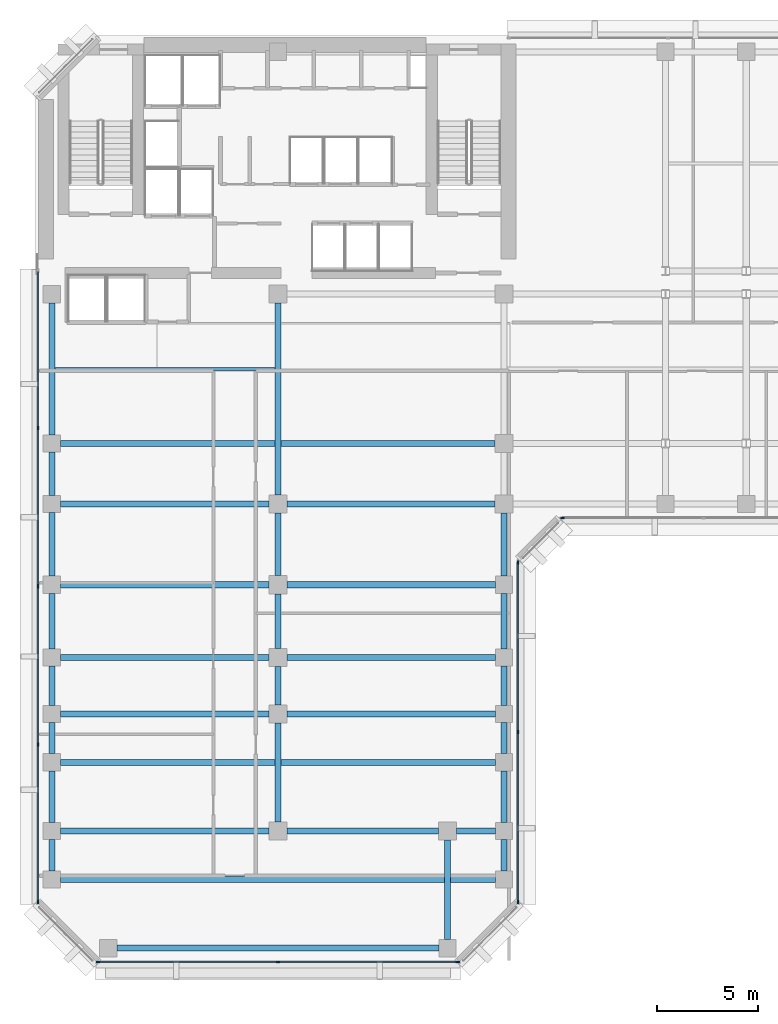
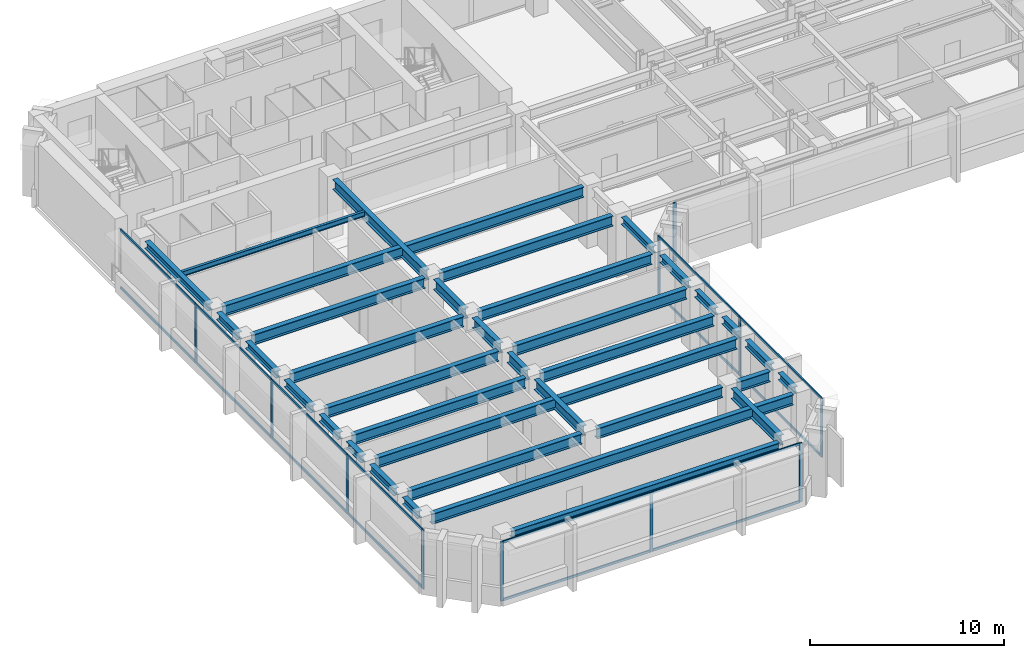
# One storey, part 2 of 11: 36 beams, 27 members, 4 elements without a shape of their own.
"""IFC4 building model written with IfcOpenShell, lengths in metres."""

from ifc_helpers import new_model, si_unit, direction, frame, origin, origin_2d, place, context, subcontext, project, spatial, rectangle, i_section, extrude, material, layer, layer_set, material_profile, profile_set, type_object, element, aggregate, save


model = new_model("IFC4")

# Units and contexts
model_context = context("Model", 3, precision=1e-05, world=origin(), true_north=direction((0.0, 1.0)))
body_context = subcontext(model_context, "Body", "Model", "MODEL_VIEW")
ifc_project = project(units=[si_unit("LENGTHUNIT", "METRE"), si_unit("AREAUNIT", "SQUARE_METRE"), si_unit("VOLUMEUNIT", "CUBIC_METRE"), si_unit("PLANEANGLEUNIT", "RADIAN"), si_unit("MASSUNIT", "GRAM", prefix="KILO")], contexts=[model_context])

# Site, building, storey
site_placement = place(None, origin())
site = spatial("IfcSite", under=ifc_project, at=site_placement, CompositionType="ELEMENT")
building_placement = place(site_placement, origin())
building = spatial("IfcBuilding", under=site, at=building_placement, Name="Kefirva Bronze Tower", CompositionType="ELEMENT")
storey_placement = place(building_placement, frame((0.0, 0.0, 158.72998046875)))
storey = spatial("IfcBuildingStorey", under=building, at=storey_placement, Name="L38", CompositionType="ELEMENT", Elevation=158.72998046875)

# Curtain wall, members
ifc_material_1 = material(Name="Bronze anodised aluminium", Category="aluminium")
ifc_layer = layer(ifc_material_1, 0.199951171875, Name="Bronze anodised aluminium")
ifc_layer_set = layer_set([ifc_layer], Name="Bronze anodised aluminium")
curtain_wall_type = type_object("IfcCurtainWallType", Name="Unitised Bronze Ribbon Curtain Wall Zone 2", PredefinedType="USERDEFINED", material=ifc_layer_set)
curtain_wall_1_placement = place(storey_placement, origin())
curtain_wall_1 = element("IfcCurtainWall", 1, at=curtain_wall_1_placement, inside=storey, type_object=curtain_wall_type, Name="L38 Curtain Wall 1", ObjectType="UNITISED CURTAIN WALL", PredefinedType="USERDEFINED")
ifc_material_profile_1 = material_profile(ifc_material_1, rectangle(XDim=0.074951171875, YDim=0.179931640625, at=origin_2d()), Name="ALU 75x180")
ifc_profile_set_1 = profile_set([ifc_material_profile_1], Name="Bronze anodised aluminium")
member_type_1 = type_object("IfcMemberType", Name="Bronze Mullion 75x180", PredefinedType="MULLION", material=ifc_profile_set_1)
member_1_placement = place(storey_placement, frame((3.092529296875, 0.1201171875, 0.0), z_axis=(0.0, 0.0, 1.0), x_axis=(0.0, 1.0, 0.0)))
member_1 = element("IfcMember", 2, at=member_1_placement, type_object=member_type_1, Name="CW-02 mullion 1", PredefinedType="MULLION", context=body_context, shape_type="SweptSolid", body=[
    extrude(rectangle(XDim=0.074951171875, YDim=0.179931640625, at=origin_2d()), origin(), (0.0, 0.0, 1.0), 3.7099609375),
])
member_2_placement = place(storey_placement, frame((12.0, 0.1201171875, 0.0), z_axis=(0.0, 0.0, 1.0), x_axis=(0.0, 1.0, 0.0)))
member_2 = element("IfcMember", 3, at=member_2_placement, type_object=member_type_1, Name="CW-02 mullion 2", PredefinedType="MULLION", context=body_context, shape_type="SweptSolid", body=[
    extrude(rectangle(XDim=0.074951171875, YDim=0.179931640625, at=origin_2d()), origin(), (0.0, 0.0, 1.0), 3.7099609375),
])
member_3_placement = place(storey_placement, frame((20.907470703125, 0.1201171875, 0.0), z_axis=(0.0, 0.0, 1.0), x_axis=(0.0, 1.0, 0.0)))
member_3 = element("IfcMember", 4, at=member_3_placement, type_object=member_type_1, Name="CW-02 mullion 3", PredefinedType="MULLION", context=body_context, shape_type="SweptSolid", body=[
    extrude(rectangle(XDim=0.074951171875, YDim=0.179931640625, at=origin_2d()), origin(), (0.0, 0.0, 1.0), 3.7099609375),
])

curtain_wall_2_placement = place(storey_placement, origin())
curtain_wall_2 = element("IfcCurtainWall", 5, at=curtain_wall_2_placement, inside=storey, type_object=curtain_wall_type, Name="L38 Curtain Wall 2", ObjectType="UNITISED CURTAIN WALL", PredefinedType="USERDEFINED")
member_4_placement = place(storey_placement, frame((23.8798828125, 3.092529296875, 0.0), z_axis=(0.0, 0.0, 1.0), x_axis=(-1.0, 0.0, 0.0)))
member_4 = element("IfcMember", 6, at=member_4_placement, type_object=member_type_1, Name="CW-02 mullion 1", PredefinedType="MULLION", context=body_context, shape_type="SweptSolid", body=[
    extrude(rectangle(XDim=0.074951171875, YDim=0.179931640625, at=origin_2d()), origin(), (0.0, 0.0, 1.0), 3.7099609375),
])
member_5_placement = place(storey_placement, frame((23.8798828125, 11.5, 0.0), z_axis=(0.0, 0.0, 1.0), x_axis=(-1.0, 0.0, 0.0)))
member_5 = element("IfcMember", 7, at=member_5_placement, type_object=member_type_1, Name="CW-02 mullion 2", PredefinedType="MULLION", context=body_context, shape_type="SweptSolid", body=[
    extrude(rectangle(XDim=0.074951171875, YDim=0.179931640625, at=origin_2d()), origin(), (0.0, 0.0, 1.0), 3.7099609375),
])
member_6_placement = place(storey_placement, frame((23.8798828125, 19.907470703125, 0.0), z_axis=(0.0, 0.0, 1.0), x_axis=(-1.0, 0.0, 0.0)))
member_6 = element("IfcMember", 8, at=member_6_placement, type_object=member_type_1, Name="CW-02 mullion 3", PredefinedType="MULLION", context=body_context, shape_type="SweptSolid", body=[
    extrude(rectangle(XDim=0.074951171875, YDim=0.179931640625, at=origin_2d()), origin(), (0.0, 0.0, 1.0), 3.7099609375),
])

# Curtain wall, member
curtain_wall_3_placement = place(storey_placement, origin())
curtain_wall_3 = element("IfcCurtainWall", 9, at=curtain_wall_3_placement, inside=storey, type_object=curtain_wall_type, Name="L38 Curtain Wall 3", ObjectType="UNITISED CURTAIN WALL", PredefinedType="USERDEFINED")
member_7_placement = place(storey_placement, frame((26.092529296875, 22.1201171875, 0.0), z_axis=(0.0, 0.0, 1.0), x_axis=(0.0, 1.0, 0.0)))
member_7 = element("IfcMember", 10, at=member_7_placement, type_object=member_type_1, Name="CW-02 mullion 1", PredefinedType="MULLION", context=body_context, shape_type="SweptSolid", body=[
    extrude(rectangle(XDim=0.074951171875, YDim=0.179931640625, at=origin_2d()), origin(), (0.0, 0.0, 1.0), 3.7099609375),
])
aggregate(curtain_wall_3, [member_7])

# Curtain wall, members
curtain_wall_4_placement = place(storey_placement, origin())
curtain_wall_4 = element("IfcCurtainWall", 11, at=curtain_wall_4_placement, inside=storey, type_object=curtain_wall_type, Name="L38 Curtain Wall 6", ObjectType="UNITISED CURTAIN WALL", PredefinedType="USERDEFINED")
member_8_placement = place(storey_placement, frame((0.1201171875, 26.56005859375, 0.0), z_axis=(0.0, 0.0, 1.0), x_axis=(1.0, 0.0, 0.0)))
member_8 = element("IfcMember", 12, at=member_8_placement, type_object=member_type_1, Name="CW-02 mullion 2", PredefinedType="MULLION", context=body_context, shape_type="SweptSolid", body=[
    extrude(rectangle(XDim=0.074951171875, YDim=0.179931640625, at=origin_2d()), origin(), (0.0, 0.0, 1.0), 3.7099609375),
])
member_9_placement = place(storey_placement, frame((0.1201171875, 18.72509765625, 0.0), z_axis=(0.0, 0.0, 1.0), x_axis=(1.0, 0.0, 0.0)))
member_9 = element("IfcMember", 13, at=member_9_placement, type_object=member_type_1, Name="CW-02 mullion 3", PredefinedType="MULLION", context=body_context, shape_type="SweptSolid", body=[
    extrude(rectangle(XDim=0.074951171875, YDim=0.179931640625, at=origin_2d()), origin(), (0.0, 0.0, 1.0), 3.7099609375),
])
member_10_placement = place(storey_placement, frame((0.1201171875, 10.889892578125, 0.0), z_axis=(0.0, 0.0, 1.0), x_axis=(1.0, 0.0, 0.0)))
member_10 = element("IfcMember", 14, at=member_10_placement, type_object=member_type_1, Name="CW-02 mullion 4", PredefinedType="MULLION", context=body_context, shape_type="SweptSolid", body=[
    extrude(rectangle(XDim=0.074951171875, YDim=0.179931640625, at=origin_2d()), origin(), (0.0, 0.0, 1.0), 3.7099609375),
])
member_11_placement = place(storey_placement, frame((0.1201171875, 3.092529296875, 0.0), z_axis=(0.0, 0.0, 1.0), x_axis=(1.0, 0.0, 0.0)))
member_11 = element("IfcMember", 15, at=member_11_placement, type_object=member_type_1, Name="CW-02 mullion 5", PredefinedType="MULLION", context=body_context, shape_type="SweptSolid", body=[
    extrude(rectangle(XDim=0.074951171875, YDim=0.179931640625, at=origin_2d()), origin(), (0.0, 0.0, 1.0), 3.7099609375),
])

# Member
ifc_material_profile_2 = material_profile(ifc_material_1, rectangle(XDim=0.074951171875, YDim=0.14990234375, at=origin_2d()), Name="ALU 75x150")
ifc_profile_set_2 = profile_set([ifc_material_profile_2], Name="Bronze anodised aluminium")
member_type_2 = type_object("IfcMemberType", Name="Bronze Transom 75x150", PredefinedType="USERDEFINED", material=ifc_profile_set_2)
member_12_placement = place(storey_placement, frame((3.1298828125, 0.1201171875, 0.03759765625), z_axis=(1.0, 0.0, 0.0), x_axis=(0.0, 1.0, 0.0)))
member_12 = element("IfcMember", 16, at=member_12_placement, type_object=member_type_2, Name="CW-02 transom 1.1", ObjectType="TRANSOM", PredefinedType="USERDEFINED", context=body_context, shape_type="SweptSolid", body=[
    extrude(rectangle(XDim=0.074951171875, YDim=0.14990234375, at=origin_2d()), origin(), (0.0, 0.0, 1.0), 8.83251953125),
])

member_13_placement = place(storey_placement, frame((3.1298828125, 0.1201171875, 3.672607421875), z_axis=(1.0, 0.0, 0.0), x_axis=(0.0, 1.0, 0.0)))
member_13 = element("IfcMember", 17, at=member_13_placement, type_object=member_type_2, Name="CW-02 transom 1.2", ObjectType="TRANSOM", PredefinedType="USERDEFINED", context=body_context, shape_type="SweptSolid", body=[
    extrude(rectangle(XDim=0.074951171875, YDim=0.14990234375, at=origin_2d()), origin(), (0.0, 0.0, 1.0), 8.83251953125),
])

member_14_placement = place(storey_placement, frame((12.03759765625, 0.1201171875, 0.03759765625), z_axis=(1.0, 0.0, 0.0), x_axis=(0.0, 1.0, 0.0)))
member_14 = element("IfcMember", 18, at=member_14_placement, type_object=member_type_2, Name="CW-02 transom 2.1", ObjectType="TRANSOM", PredefinedType="USERDEFINED", context=body_context, shape_type="SweptSolid", body=[
    extrude(rectangle(XDim=0.074951171875, YDim=0.14990234375, at=origin_2d()), origin(), (0.0, 0.0, 1.0), 8.83251953125),
])

member_15_placement = place(storey_placement, frame((12.03759765625, 0.1201171875, 3.672607421875), z_axis=(1.0, 0.0, 0.0), x_axis=(0.0, 1.0, 0.0)))
member_15 = element("IfcMember", 19, at=member_15_placement, type_object=member_type_2, Name="CW-02 transom 2.2", ObjectType="TRANSOM", PredefinedType="USERDEFINED", context=body_context, shape_type="SweptSolid", body=[
    extrude(rectangle(XDim=0.074951171875, YDim=0.14990234375, at=origin_2d()), origin(), (0.0, 0.0, 1.0), 8.83251953125),
])

aggregate(curtain_wall_1, [member_1, member_2, member_3, member_12, member_13, member_14, member_15])

member_16_placement = place(storey_placement, frame((23.8798828125, 3.1298828125, 0.03759765625), z_axis=(0.0, 1.0, 0.0), x_axis=(-1.0, 0.0, 0.0)))
member_16 = element("IfcMember", 20, at=member_16_placement, type_object=member_type_2, Name="CW-02 transom 1.1", ObjectType="TRANSOM", PredefinedType="USERDEFINED", context=body_context, shape_type="SweptSolid", body=[
    extrude(rectangle(XDim=0.074951171875, YDim=0.14990234375, at=origin_2d()), origin(), (0.0, 0.0, 1.0), 8.33251953125),
])

member_17_placement = place(storey_placement, frame((23.8798828125, 3.1298828125, 3.672607421875), z_axis=(0.0, 1.0, 0.0), x_axis=(-1.0, 0.0, 0.0)))
member_17 = element("IfcMember", 21, at=member_17_placement, type_object=member_type_2, Name="CW-02 transom 1.2", ObjectType="TRANSOM", PredefinedType="USERDEFINED", context=body_context, shape_type="SweptSolid", body=[
    extrude(rectangle(XDim=0.074951171875, YDim=0.14990234375, at=origin_2d()), origin(), (0.0, 0.0, 1.0), 8.33251953125),
])

member_18_placement = place(storey_placement, frame((23.8798828125, 11.53759765625, 0.03759765625), z_axis=(0.0, 1.0, 0.0), x_axis=(-1.0, 0.0, 0.0)))
member_18 = element("IfcMember", 22, at=member_18_placement, type_object=member_type_2, Name="CW-02 transom 2.1", ObjectType="TRANSOM", PredefinedType="USERDEFINED", context=body_context, shape_type="SweptSolid", body=[
    extrude(rectangle(XDim=0.074951171875, YDim=0.14990234375, at=origin_2d()), origin(), (0.0, 0.0, 1.0), 8.33251953125),
])

member_19_placement = place(storey_placement, frame((23.8798828125, 11.53759765625, 3.672607421875), z_axis=(0.0, 1.0, 0.0), x_axis=(-1.0, 0.0, 0.0)))
member_19 = element("IfcMember", 23, at=member_19_placement, type_object=member_type_2, Name="CW-02 transom 2.2", ObjectType="TRANSOM", PredefinedType="USERDEFINED", context=body_context, shape_type="SweptSolid", body=[
    extrude(rectangle(XDim=0.074951171875, YDim=0.14990234375, at=origin_2d()), origin(), (0.0, 0.0, 1.0), 8.33251953125),
])

aggregate(curtain_wall_2, [member_4, member_5, member_6, member_16, member_17, member_18, member_19])

member_20_placement = place(storey_placement, frame((0.1201171875, 34.320068359375, 0.03759765625), z_axis=(0.0, -1.0, 0.0), x_axis=(1.0, 0.0, 0.0)))
member_20 = element("IfcMember", 24, at=member_20_placement, type_object=member_type_2, Name="CW-02 transom 1.1", ObjectType="TRANSOM", PredefinedType="USERDEFINED", context=body_context, shape_type="SweptSolid", body=[
    extrude(rectangle(XDim=0.074951171875, YDim=0.14990234375, at=origin_2d()), origin(), (0.0, 0.0, 1.0), 7.72265625),
])

member_21_placement = place(storey_placement, frame((0.1201171875, 34.320068359375, 3.672607421875), z_axis=(0.0, -1.0, 0.0), x_axis=(1.0, 0.0, 0.0)))
member_21 = element("IfcMember", 25, at=member_21_placement, type_object=member_type_2, Name="CW-02 transom 1.2", ObjectType="TRANSOM", PredefinedType="USERDEFINED", context=body_context, shape_type="SweptSolid", body=[
    extrude(rectangle(XDim=0.074951171875, YDim=0.14990234375, at=origin_2d()), origin(), (0.0, 0.0, 1.0), 7.72265625),
])

member_22_placement = place(storey_placement, frame((0.1201171875, 26.5224609375, 0.03759765625), z_axis=(0.0, -1.0, 0.0), x_axis=(1.0, 0.0, 0.0)))
member_22 = element("IfcMember", 26, at=member_22_placement, type_object=member_type_2, Name="CW-02 transom 2.1", ObjectType="TRANSOM", PredefinedType="USERDEFINED", context=body_context, shape_type="SweptSolid", body=[
    extrude(rectangle(XDim=0.074951171875, YDim=0.14990234375, at=origin_2d()), origin(), (0.0, 0.0, 1.0), 7.760009765625),
])

member_23_placement = place(storey_placement, frame((0.1201171875, 26.5224609375, 3.672607421875), z_axis=(0.0, -1.0, 0.0), x_axis=(1.0, 0.0, 0.0)))
member_23 = element("IfcMember", 27, at=member_23_placement, type_object=member_type_2, Name="CW-02 transom 2.2", ObjectType="TRANSOM", PredefinedType="USERDEFINED", context=body_context, shape_type="SweptSolid", body=[
    extrude(rectangle(XDim=0.074951171875, YDim=0.14990234375, at=origin_2d()), origin(), (0.0, 0.0, 1.0), 7.760009765625),
])

member_24_placement = place(storey_placement, frame((0.1201171875, 18.6875, 0.03759765625), z_axis=(0.0, -1.0, 0.0), x_axis=(1.0, 0.0, 0.0)))
member_24 = element("IfcMember", 28, at=member_24_placement, type_object=member_type_2, Name="CW-02 transom 3.1", ObjectType="TRANSOM", PredefinedType="USERDEFINED", context=body_context, shape_type="SweptSolid", body=[
    extrude(rectangle(XDim=0.074951171875, YDim=0.14990234375, at=origin_2d()), origin(), (0.0, 0.0, 1.0), 7.760009765625),
])

member_25_placement = place(storey_placement, frame((0.1201171875, 18.6875, 3.672607421875), z_axis=(0.0, -1.0, 0.0), x_axis=(1.0, 0.0, 0.0)))
member_25 = element("IfcMember", 29, at=member_25_placement, type_object=member_type_2, Name="CW-02 transom 3.2", ObjectType="TRANSOM", PredefinedType="USERDEFINED", context=body_context, shape_type="SweptSolid", body=[
    extrude(rectangle(XDim=0.074951171875, YDim=0.14990234375, at=origin_2d()), origin(), (0.0, 0.0, 1.0), 7.760009765625),
])

member_26_placement = place(storey_placement, frame((0.1201171875, 10.8525390625, 0.03759765625), z_axis=(0.0, -1.0, 0.0), x_axis=(1.0, 0.0, 0.0)))
member_26 = element("IfcMember", 30, at=member_26_placement, type_object=member_type_2, Name="CW-02 transom 4.1", ObjectType="TRANSOM", PredefinedType="USERDEFINED", context=body_context, shape_type="SweptSolid", body=[
    extrude(rectangle(XDim=0.074951171875, YDim=0.14990234375, at=origin_2d()), origin(), (0.0, 0.0, 1.0), 7.72265625),
])

member_27_placement = place(storey_placement, frame((0.1201171875, 10.8525390625, 3.672607421875), z_axis=(0.0, -1.0, 0.0), x_axis=(1.0, 0.0, 0.0)))
member_27 = element("IfcMember", 31, at=member_27_placement, type_object=member_type_2, Name="CW-02 transom 4.2", ObjectType="TRANSOM", PredefinedType="USERDEFINED", context=body_context, shape_type="SweptSolid", body=[
    extrude(rectangle(XDim=0.074951171875, YDim=0.14990234375, at=origin_2d()), origin(), (0.0, 0.0, 1.0), 7.72265625),
])

aggregate(curtain_wall_4, [member_8, member_9, member_10, member_11, member_20, member_21, member_22, member_23, member_24, member_25, member_26, member_27])

# Beams
ifc_material_2 = material(Name="Steel S355", Category="steel")
ifc_material_profile_3 = material_profile(ifc_material_2, i_section(OverallWidth=0.159912109375, OverallDepth=0.330078125, WebThickness=0.007568359375, FlangeThickness=0.011474609375, at=origin_2d()), Name="IPE 330")
ifc_profile_set_3 = profile_set([ifc_material_profile_3], Name="Steel S355")
beam_type_1 = type_object("IfcBeamType", Name="Steel Floor Joist IPE 330", PredefinedType="JOIST", material=ifc_profile_set_3)
beam_1_placement = place(storey_placement, frame((0.949951171875, 29.489990234375, 3.544921875), z_axis=(1.0, 0.0, 0.0), x_axis=(0.0, 1.0, 0.0)))
element("IfcBeam", 32, at=beam_1_placement, inside=storey, type_object=beam_type_1, Name="L38 JST-L38-0-294", PredefinedType="JOIST", context=body_context, shape_type="SweptSolid", body=[
    extrude(i_section(OverallWidth=0.159912109375, OverallDepth=0.330078125, WebThickness=0.007568359375, FlangeThickness=0.011474609375, at=origin_2d()), origin(), (0.0, 0.0, 1.0), 10.900146484375),
])
ifc_material_profile_4 = material_profile(ifc_material_2, i_section(OverallWidth=0.300048828125, OverallDepth=0.64990234375, WebThickness=0.01611328125, FlangeThickness=0.031005859375, at=origin_2d()), Name="HEB 650")
ifc_profile_set_4 = profile_set([ifc_material_profile_4], Name="Steel S355")
beam_type_2 = type_object("IfcBeamType", Name="Steel Girder HEB 650", PredefinedType="USERDEFINED", material=ifc_profile_set_4)
beam_2_placement = place(storey_placement, frame((1.22998046875, 4.199951171875, 3.385009765625), z_axis=(1.0, 0.0, 0.0), x_axis=(0.0, 1.0, 0.0)))
element("IfcBeam", 33, at=beam_2_placement, inside=storey, type_object=beam_type_2, Name="L38 BM-L38-EW-0-42", ObjectType="GIRDER", PredefinedType="USERDEFINED", context=body_context, shape_type="SweptSolid", body=[
    extrude(i_section(OverallWidth=0.300048828125, OverallDepth=0.64990234375, WebThickness=0.01611328125, FlangeThickness=0.031005859375, at=origin_2d()), origin(), (0.0, 0.0, 1.0), 21.5400390625),
])
beam_3_placement = place(storey_placement, frame((1.22998046875, 6.60009765625, 3.385009765625), z_axis=(1.0, 0.0, 0.0), x_axis=(0.0, 1.0, 0.0)))
element("IfcBeam", 34, at=beam_3_placement, inside=storey, type_object=beam_type_2, Name="L38 BM-L38-EW-0-66", ObjectType="GIRDER", PredefinedType="USERDEFINED", context=body_context, shape_type="SweptSolid", body=[
    extrude(i_section(OverallWidth=0.300048828125, OverallDepth=0.64990234375, WebThickness=0.01611328125, FlangeThickness=0.031005859375, at=origin_2d()), origin(), (0.0, 0.0, 1.0), 10.320068359375),
])
beam_4_placement = place(storey_placement, frame((12.449951171875, 6.60009765625, 3.385009765625), z_axis=(1.0, 0.0, 0.0), x_axis=(0.0, 1.0, 0.0)))
element("IfcBeam", 35, at=beam_4_placement, inside=storey, type_object=beam_type_2, Name="L38 BM-L38-EW-12-66", ObjectType="GIRDER", PredefinedType="USERDEFINED", context=body_context, shape_type="SweptSolid", body=[
    extrude(i_section(OverallWidth=0.300048828125, OverallDepth=0.64990234375, WebThickness=0.01611328125, FlangeThickness=0.031005859375, at=origin_2d()), origin(), (0.0, 0.0, 1.0), 7.5),
])
beam_5_placement = place(storey_placement, frame((20.85009765625, 6.60009765625, 3.385009765625), z_axis=(1.0, 0.0, 0.0), x_axis=(0.0, 1.0, 0.0)))
element("IfcBeam", 36, at=beam_5_placement, inside=storey, type_object=beam_type_2, Name="L38 BM-L38-EW-20-66", ObjectType="GIRDER", PredefinedType="USERDEFINED", context=body_context, shape_type="SweptSolid", body=[
    extrude(i_section(OverallWidth=0.300048828125, OverallDepth=0.64990234375, WebThickness=0.01611328125, FlangeThickness=0.031005859375, at=origin_2d()), origin(), (0.0, 0.0, 1.0), 1.919921875),
])
beam_6_placement = place(storey_placement, frame((1.22998046875, 10.0, 3.385009765625), z_axis=(1.0, 0.0, 0.0), x_axis=(0.0, 1.0, 0.0)))
element("IfcBeam", 37, at=beam_6_placement, inside=storey, type_object=beam_type_2, Name="L38 BM-L38-EW-0-100", ObjectType="GIRDER", PredefinedType="USERDEFINED", context=body_context, shape_type="SweptSolid", body=[
    extrude(i_section(OverallWidth=0.300048828125, OverallDepth=0.64990234375, WebThickness=0.01611328125, FlangeThickness=0.031005859375, at=origin_2d()), origin(), (0.0, 0.0, 1.0), 21.5400390625),
])
for number, where, z_axis, x_axis, name in (
    (38, (1.22998046875, 12.39990234375, 3.385009765625), (1.0, 0.0, 0.0), (0.0, 1.0, 0.0), "L38 BM-L38-EW-0-124"),
    (39, (12.449951171875, 12.39990234375, 3.385009765625), (1.0, 0.0, 0.0), (0.0, 1.0, 0.0), "L38 BM-L38-EW-12-124"),
    (40, (1.22998046875, 15.199951171875, 3.385009765625), (1.0, 0.0, 0.0), (0.0, 1.0, 0.0), "L38 BM-L38-EW-0-152"),
    (41, (12.449951171875, 15.199951171875, 3.385009765625), (1.0, 0.0, 0.0), (0.0, 1.0, 0.0), "L38 BM-L38-EW-12-152"),
    (42, (1.22998046875, 18.800048828125, 3.385009765625), (1.0, 0.0, 0.0), (0.0, 1.0, 0.0), "L38 BM-L38-EW-0-188"),
    (43, (12.449951171875, 18.800048828125, 3.385009765625), (1.0, 0.0, 0.0), (0.0, 1.0, 0.0), "L38 BM-L38-EW-12-188"),
    (44, (1.22998046875, 22.800048828125, 3.385009765625), (1.0, 0.0, 0.0), (0.0, 1.0, 0.0), "L38 BM-L38-EW-0-228"),
):
    element("IfcBeam", number, at=place(storey_placement, frame(where, z_axis=z_axis, x_axis=x_axis)), inside=storey, type_object=beam_type_2, Name=name, ObjectType="GIRDER", PredefinedType="USERDEFINED", context=body_context, shape_type="SweptSolid", body=[
        extrude(i_section(OverallWidth=0.300048828125, OverallDepth=0.64990234375, WebThickness=0.01611328125, FlangeThickness=0.031005859375, at=origin_2d()), origin(), (0.0, 0.0, 1.0), 10.320068359375),
    ])
beam_7_placement = place(storey_placement, frame((12.449951171875, 22.800048828125, 3.385009765625), z_axis=(1.0, 0.0, 0.0), x_axis=(0.0, 1.0, 0.0)))
element("IfcBeam", 45, at=beam_7_placement, inside=storey, type_object=beam_type_2, Name="L38 BM-L38-EW-12-228", ObjectType="GIRDER", PredefinedType="USERDEFINED", context=body_context, shape_type="SweptSolid", body=[
    extrude(i_section(OverallWidth=0.300048828125, OverallDepth=0.64990234375, WebThickness=0.01611328125, FlangeThickness=0.031005859375, at=origin_2d()), origin(), (0.0, 0.0, 1.0), 10.300048828125),
])
beam_8_placement = place(storey_placement, frame((1.22998046875, 25.800048828125, 3.385009765625), z_axis=(1.0, 0.0, 0.0), x_axis=(0.0, 1.0, 0.0)))
element("IfcBeam", 46, at=beam_8_placement, inside=storey, type_object=beam_type_2, Name="L38 BM-L38-EW-0-258", ObjectType="GIRDER", PredefinedType="USERDEFINED", context=body_context, shape_type="SweptSolid", body=[
    extrude(i_section(OverallWidth=0.300048828125, OverallDepth=0.64990234375, WebThickness=0.01611328125, FlangeThickness=0.031005859375, at=origin_2d()), origin(), (0.0, 0.0, 1.0), 21.52001953125),
])
beam_9_placement = place(storey_placement, frame((12.0, 7.050048828125, 3.385009765625), z_axis=(0.0, 1.0, 0.0), x_axis=(-1.0, 0.0, 0.0)))
element("IfcBeam", 47, at=beam_9_placement, inside=storey, type_object=beam_type_2, Name="L38 BM-L38-NS-120-6", ObjectType="GIRDER", PredefinedType="USERDEFINED", context=body_context, shape_type="SweptSolid", body=[
    extrude(i_section(OverallWidth=0.300048828125, OverallDepth=0.64990234375, WebThickness=0.01611328125, FlangeThickness=0.031005859375, at=origin_2d()), origin(), (0.0, 0.0, 1.0), 4.89990234375),
])
beam_10_placement = place(storey_placement, frame((12.0, 12.85009765625, 3.385009765625), z_axis=(0.0, 1.0, 0.0), x_axis=(-1.0, 0.0, 0.0)))
element("IfcBeam", 48, at=beam_10_placement, inside=storey, type_object=beam_type_2, Name="L38 BM-L38-NS-120-12", ObjectType="GIRDER", PredefinedType="USERDEFINED", context=body_context, shape_type="SweptSolid", body=[
    extrude(i_section(OverallWidth=0.300048828125, OverallDepth=0.64990234375, WebThickness=0.01611328125, FlangeThickness=0.031005859375, at=origin_2d()), origin(), (0.0, 0.0, 1.0), 1.89990234375),
])
beam_11_placement = place(storey_placement, frame((12.0, 15.64990234375, 3.385009765625), z_axis=(0.0, 1.0, 0.0), x_axis=(-1.0, 0.0, 0.0)))
element("IfcBeam", 49, at=beam_11_placement, inside=storey, type_object=beam_type_2, Name="L38 BM-L38-NS-120-15", ObjectType="GIRDER", PredefinedType="USERDEFINED", context=body_context, shape_type="SweptSolid", body=[
    extrude(i_section(OverallWidth=0.300048828125, OverallDepth=0.64990234375, WebThickness=0.01611328125, FlangeThickness=0.031005859375, at=origin_2d()), origin(), (0.0, 0.0, 1.0), 2.7001953125),
])
beam_12_placement = place(storey_placement, frame((12.0, 19.25, 3.385009765625), z_axis=(0.0, 1.0, 0.0), x_axis=(-1.0, 0.0, 0.0)))
element("IfcBeam", 50, at=beam_12_placement, inside=storey, type_object=beam_type_2, Name="L38 BM-L38-NS-120-18", ObjectType="GIRDER", PredefinedType="USERDEFINED", context=body_context, shape_type="SweptSolid", body=[
    extrude(i_section(OverallWidth=0.300048828125, OverallDepth=0.64990234375, WebThickness=0.01611328125, FlangeThickness=0.031005859375, at=origin_2d()), origin(), (0.0, 0.0, 1.0), 3.10009765625),
])
beam_13_placement = place(storey_placement, frame((12.0, 23.25, 3.385009765625), z_axis=(0.0, 1.0, 0.0), x_axis=(-1.0, 0.0, 0.0)))
element("IfcBeam", 51, at=beam_13_placement, inside=storey, type_object=beam_type_2, Name="L38 BM-L38-NS-120-22", ObjectType="GIRDER", PredefinedType="USERDEFINED", context=body_context, shape_type="SweptSolid", body=[
    extrude(i_section(OverallWidth=0.300048828125, OverallDepth=0.64990234375, WebThickness=0.01611328125, FlangeThickness=0.031005859375, at=origin_2d()), origin(), (0.0, 0.0, 1.0), 9.5),
])
beam_14_placement = place(storey_placement, frame((20.39990234375, 1.22998046875, 3.385009765625), z_axis=(0.0, 1.0, 0.0), x_axis=(-1.0, 0.0, 0.0)))
element("IfcBeam", 52, at=beam_14_placement, inside=storey, type_object=beam_type_2, Name="L38 BM-L38-NS-204-0", ObjectType="GIRDER", PredefinedType="USERDEFINED", context=body_context, shape_type="SweptSolid", body=[
    extrude(i_section(OverallWidth=0.300048828125, OverallDepth=0.64990234375, WebThickness=0.01611328125, FlangeThickness=0.031005859375, at=origin_2d()), origin(), (0.0, 0.0, 1.0), 4.919921875),
])
ifc_material_profile_5 = material_profile(ifc_material_2, i_section(OverallWidth=0.300048828125, OverallDepth=0.449951171875, WebThickness=0.013916015625, FlangeThickness=0.02587890625, at=origin_2d()), Name="HEB 450")
ifc_profile_set_5 = profile_set([ifc_material_profile_5], Name="Steel S355")
beam_type_3 = type_object("IfcBeamType", Name="Steel Spandrel HEB 450 Ext", PredefinedType="SPANDREL", material=ifc_profile_set_5)
beam_15_placement = place(storey_placement, frame((4.030029296875, 0.800048828125, 3.485107421875), z_axis=(1.0, 0.0, 0.0), x_axis=(0.0, 1.0, 0.0)))
element("IfcBeam", 53, at=beam_15_placement, inside=storey, type_object=beam_type_3, Name="L38 BM-L38-EW-3-8", PredefinedType="SPANDREL", context=body_context, shape_type="SweptSolid", body=[
    extrude(i_section(OverallWidth=0.300048828125, OverallDepth=0.449951171875, WebThickness=0.013916015625, FlangeThickness=0.02587890625, at=origin_2d()), origin(), (0.0, 0.0, 1.0), 15.93994140625),
])
beam_16_placement = place(storey_placement, frame((0.800048828125, 4.6298828125, 3.485107421875), z_axis=(0.0, 1.0, 0.0), x_axis=(-1.0, 0.0, 0.0)))
element("IfcBeam", 54, at=beam_16_placement, inside=storey, type_object=beam_type_3, Name="L38 BM-L38-NS-8-4", PredefinedType="SPANDREL", context=body_context, shape_type="SweptSolid", body=[
    extrude(i_section(OverallWidth=0.300048828125, OverallDepth=0.449951171875, WebThickness=0.013916015625, FlangeThickness=0.02587890625, at=origin_2d()), origin(), (0.0, 0.0, 1.0), 1.5400390625),
])
beam_17_placement = place(storey_placement, frame((0.800048828125, 7.030029296875, 3.485107421875), z_axis=(0.0, 1.0, 0.0), x_axis=(-1.0, 0.0, 0.0)))
element("IfcBeam", 55, at=beam_17_placement, inside=storey, type_object=beam_type_3, Name="L38 BM-L38-NS-8-6", PredefinedType="SPANDREL", context=body_context, shape_type="SweptSolid", body=[
    extrude(i_section(OverallWidth=0.300048828125, OverallDepth=0.449951171875, WebThickness=0.013916015625, FlangeThickness=0.02587890625, at=origin_2d()), origin(), (0.0, 0.0, 1.0), 2.5400390625),
])
beam_18_placement = place(storey_placement, frame((0.800048828125, 10.429931640625, 3.485107421875), z_axis=(0.0, 1.0, 0.0), x_axis=(-1.0, 0.0, 0.0)))
element("IfcBeam", 56, at=beam_18_placement, inside=storey, type_object=beam_type_3, Name="L38 BM-L38-NS-8-10", PredefinedType="SPANDREL", context=body_context, shape_type="SweptSolid", body=[
    extrude(i_section(OverallWidth=0.300048828125, OverallDepth=0.449951171875, WebThickness=0.013916015625, FlangeThickness=0.02587890625, at=origin_2d()), origin(), (0.0, 0.0, 1.0), 1.5400390625),
])
beam_19_placement = place(storey_placement, frame((0.800048828125, 12.830078125, 3.485107421875), z_axis=(0.0, 1.0, 0.0), x_axis=(-1.0, 0.0, 0.0)))
element("IfcBeam", 57, at=beam_19_placement, inside=storey, type_object=beam_type_3, Name="L38 BM-L38-NS-8-12", PredefinedType="SPANDREL", context=body_context, shape_type="SweptSolid", body=[
    extrude(i_section(OverallWidth=0.300048828125, OverallDepth=0.449951171875, WebThickness=0.013916015625, FlangeThickness=0.02587890625, at=origin_2d()), origin(), (0.0, 0.0, 1.0), 1.93994140625),
])
beam_20_placement = place(storey_placement, frame((0.800048828125, 15.6298828125, 3.485107421875), z_axis=(0.0, 1.0, 0.0), x_axis=(-1.0, 0.0, 0.0)))
element("IfcBeam", 58, at=beam_20_placement, inside=storey, type_object=beam_type_3, Name="L38 BM-L38-NS-8-15", PredefinedType="SPANDREL", context=body_context, shape_type="SweptSolid", body=[
    extrude(i_section(OverallWidth=0.300048828125, OverallDepth=0.449951171875, WebThickness=0.013916015625, FlangeThickness=0.02587890625, at=origin_2d()), origin(), (0.0, 0.0, 1.0), 2.740234375),
])
beam_21_placement = place(storey_placement, frame((0.800048828125, 19.22998046875, 3.485107421875), z_axis=(0.0, 1.0, 0.0), x_axis=(-1.0, 0.0, 0.0)))
element("IfcBeam", 59, at=beam_21_placement, inside=storey, type_object=beam_type_3, Name="L38 BM-L38-NS-8-18", PredefinedType="SPANDREL", context=body_context, shape_type="SweptSolid", body=[
    extrude(i_section(OverallWidth=0.300048828125, OverallDepth=0.449951171875, WebThickness=0.013916015625, FlangeThickness=0.02587890625, at=origin_2d()), origin(), (0.0, 0.0, 1.0), 3.14013671875),
])
beam_22_placement = place(storey_placement, frame((0.800048828125, 23.22998046875, 3.485107421875), z_axis=(0.0, 1.0, 0.0), x_axis=(-1.0, 0.0, 0.0)))
element("IfcBeam", 60, at=beam_22_placement, inside=storey, type_object=beam_type_3, Name="L38 BM-L38-NS-8-22", PredefinedType="SPANDREL", context=body_context, shape_type="SweptSolid", body=[
    extrude(i_section(OverallWidth=0.300048828125, OverallDepth=0.449951171875, WebThickness=0.013916015625, FlangeThickness=0.02587890625, at=origin_2d()), origin(), (0.0, 0.0, 1.0), 2.14013671875),
])
beam_23_placement = place(storey_placement, frame((0.800048828125, 26.22998046875, 3.485107421875), z_axis=(0.0, 1.0, 0.0), x_axis=(-1.0, 0.0, 0.0)))
element("IfcBeam", 61, at=beam_23_placement, inside=storey, type_object=beam_type_3, Name="L38 BM-L38-NS-8-25", PredefinedType="SPANDREL", context=body_context, shape_type="SweptSolid", body=[
    extrude(i_section(OverallWidth=0.300048828125, OverallDepth=0.449951171875, WebThickness=0.013916015625, FlangeThickness=0.02587890625, at=origin_2d()), origin(), (0.0, 0.0, 1.0), 6.5400390625),
])
beam_24_placement = place(storey_placement, frame((23.199951171875, 4.6298828125, 3.485107421875), z_axis=(0.0, 1.0, 0.0), x_axis=(-1.0, 0.0, 0.0)))
element("IfcBeam", 62, at=beam_24_placement, inside=storey, type_object=beam_type_3, Name="L38 BM-L38-NS-232-4", PredefinedType="SPANDREL", context=body_context, shape_type="SweptSolid", body=[
    extrude(i_section(OverallWidth=0.300048828125, OverallDepth=0.449951171875, WebThickness=0.013916015625, FlangeThickness=0.02587890625, at=origin_2d()), origin(), (0.0, 0.0, 1.0), 1.5400390625),
])
beam_25_placement = place(storey_placement, frame((23.199951171875, 7.030029296875, 3.485107421875), z_axis=(0.0, 1.0, 0.0), x_axis=(-1.0, 0.0, 0.0)))
element("IfcBeam", 63, at=beam_25_placement, inside=storey, type_object=beam_type_3, Name="L38 BM-L38-NS-232-6", PredefinedType="SPANDREL", context=body_context, shape_type="SweptSolid", body=[
    extrude(i_section(OverallWidth=0.300048828125, OverallDepth=0.449951171875, WebThickness=0.013916015625, FlangeThickness=0.02587890625, at=origin_2d()), origin(), (0.0, 0.0, 1.0), 2.5400390625),
])
beam_26_placement = place(storey_placement, frame((23.199951171875, 10.429931640625, 3.485107421875), z_axis=(0.0, 1.0, 0.0), x_axis=(-1.0, 0.0, 0.0)))
element("IfcBeam", 64, at=beam_26_placement, inside=storey, type_object=beam_type_3, Name="L38 BM-L38-NS-232-10", PredefinedType="SPANDREL", context=body_context, shape_type="SweptSolid", body=[
    extrude(i_section(OverallWidth=0.300048828125, OverallDepth=0.449951171875, WebThickness=0.013916015625, FlangeThickness=0.02587890625, at=origin_2d()), origin(), (0.0, 0.0, 1.0), 1.5400390625),
])
beam_27_placement = place(storey_placement, frame((23.199951171875, 12.830078125, 3.485107421875), z_axis=(0.0, 1.0, 0.0), x_axis=(-1.0, 0.0, 0.0)))
element("IfcBeam", 65, at=beam_27_placement, inside=storey, type_object=beam_type_3, Name="L38 BM-L38-NS-232-12", PredefinedType="SPANDREL", context=body_context, shape_type="SweptSolid", body=[
    extrude(i_section(OverallWidth=0.300048828125, OverallDepth=0.449951171875, WebThickness=0.013916015625, FlangeThickness=0.02587890625, at=origin_2d()), origin(), (0.0, 0.0, 1.0), 1.93994140625),
])
beam_28_placement = place(storey_placement, frame((23.199951171875, 15.6298828125, 3.485107421875), z_axis=(0.0, 1.0, 0.0), x_axis=(-1.0, 0.0, 0.0)))
element("IfcBeam", 66, at=beam_28_placement, inside=storey, type_object=beam_type_3, Name="L38 BM-L38-NS-232-15", PredefinedType="SPANDREL", context=body_context, shape_type="SweptSolid", body=[
    extrude(i_section(OverallWidth=0.300048828125, OverallDepth=0.449951171875, WebThickness=0.013916015625, FlangeThickness=0.02587890625, at=origin_2d()), origin(), (0.0, 0.0, 1.0), 2.740234375),
])
beam_29_placement = place(storey_placement, frame((23.199951171875, 19.22998046875, 3.485107421875), z_axis=(0.0, 1.0, 0.0), x_axis=(-1.0, 0.0, 0.0)))
element("IfcBeam", 67, at=beam_29_placement, inside=storey, type_object=beam_type_3, Name="L38 BM-L38-NS-232-18", PredefinedType="SPANDREL", context=body_context, shape_type="SweptSolid", body=[
    extrude(i_section(OverallWidth=0.300048828125, OverallDepth=0.449951171875, WebThickness=0.013916015625, FlangeThickness=0.02587890625, at=origin_2d()), origin(), (0.0, 0.0, 1.0), 3.1201171875),
])

save(model, "model.ifc")
